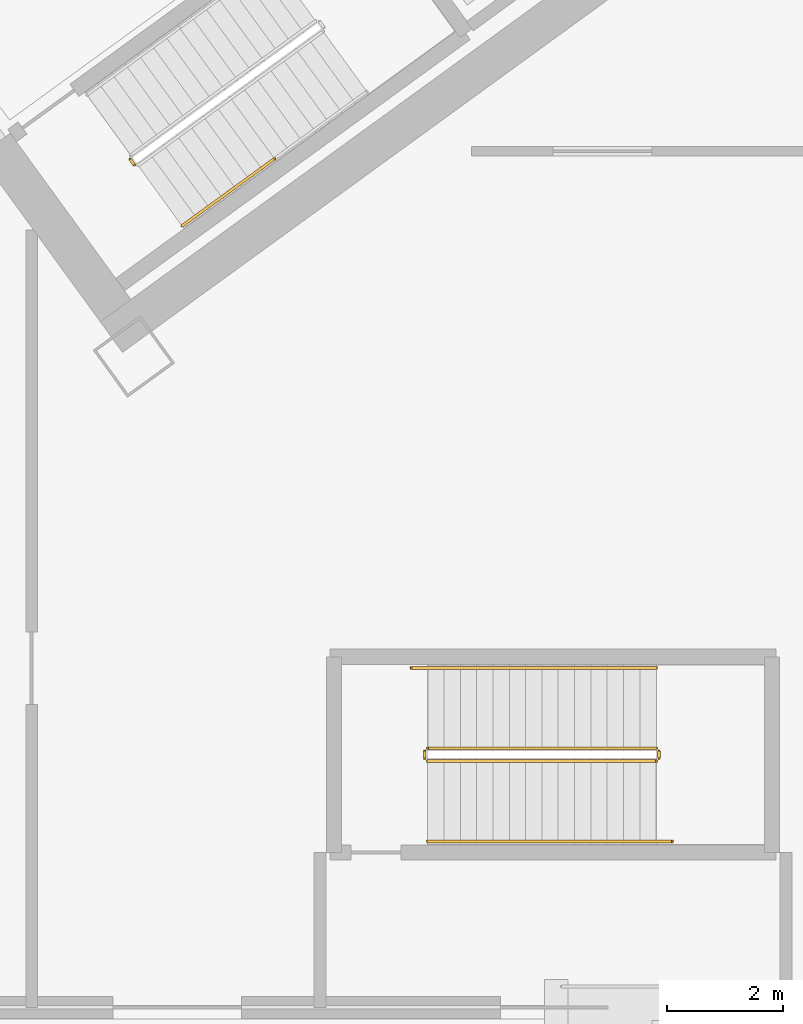
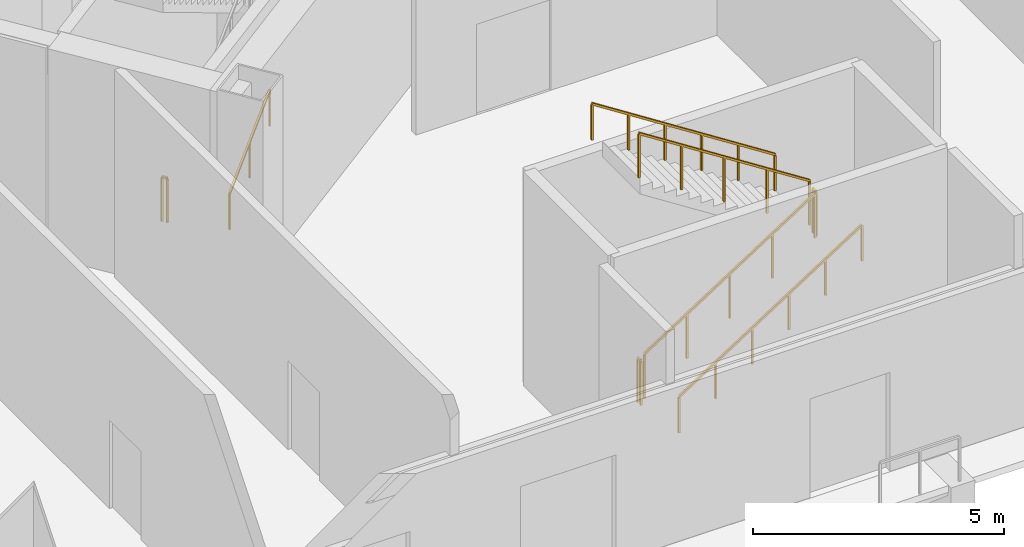
# One storey, part 19 of 22: 8 railings.
"""IFC4 building model written with IfcOpenShell, lengths in metres."""

import ifcopenshell
import ifcopenshell.guid

model = None  # the IFC model being written
_history = None  # IfcOwnerHistory: only IFC2X3 demands one
_inside = {}  # id of a spatial element -> (the spatial element, [elements in it])
_under = {}  # id of a project, library or spatial element -> (it, [spatial elements below it])
_declared = {}  # id of a project -> (the project, [libraries it declares])
_typed = {}  # id of a type object -> (the type object, [elements of that type])
_made_of = {}  # id of a material, layer set ... -> (it, [elements and type objects made of it])


def new_model(schema):
    """Start an empty IFC model of exactly this schema.

    Asked for "IFC4X3", IfcOpenShell would pick the latest addendum, in which some entities
    have other attributes; the version numbers below select the first issue.
    IFC2X3 requires an IfcOwnerHistory on every rooted entity: one is made here for all.
    """
    global model, _history
    if schema == "IFC4X3":
        model = ifcopenshell.file(schema_version=(4, 3, 0, 0))
    else:
        model = ifcopenshell.file(schema=schema)
    _inside.clear()
    _under.clear()
    _declared.clear()
    _typed.clear()
    _made_of.clear()
    _history = None
    if model.schema == "IFC2X3":
        org = make("IfcOrganization", Name="unknown")
        user = make(
            "IfcPersonAndOrganization",
            ThePerson=make("IfcPerson", FamilyName="unknown"),
            TheOrganization=org,
        )
        app = make(
            "IfcApplication",
            ApplicationDeveloper=org,
            Version="unknown",
            ApplicationFullName="unknown",
            ApplicationIdentifier="unknown",
        )
        _history = make(
            "IfcOwnerHistory",
            OwningUser=user,
            OwningApplication=app,
            ChangeAction="ADDED",
            CreationDate=0,
        )
    return model


def make(cls, **values):
    """One entity of the class cls with the attributes given. An attribute that is None is left unset."""
    return model.create_entity(
        cls, **{name: value for name, value in values.items() if value is not None}
    )


def rooted(cls, **values):
    """An entity with a GlobalId (a new one), such as an element, a storey or a relation."""
    return make(cls, GlobalId=ifcopenshell.guid.new(), OwnerHistory=_history, **values)


def si_unit(unit_type, name, prefix=None):
    """IfcSIUnit, for example si_unit("LENGTHUNIT", "METRE", prefix="MILLI")."""
    return make("IfcSIUnit", UnitType=unit_type, Prefix=prefix, Name=name)


def assignment(units):
    """IfcUnitAssignment: the units of a project."""
    return None if units is None else make("IfcUnitAssignment", Units=units)


def point(xyz):
    """IfcCartesianPoint."""
    return None if xyz is None else make("IfcCartesianPoint", Coordinates=xyz)


def direction(xyz):
    """IfcDirection."""
    return None if xyz is None else make("IfcDirection", DirectionRatios=xyz)


def frame(location, z_axis=None, x_axis=None):
    """IfcAxis2Placement3D, a coordinate frame: its origin and axes. An axis left out is left unset."""
    return make(
        "IfcAxis2Placement3D",
        Location=point(location),
        Axis=direction(z_axis),
        RefDirection=direction(x_axis),
    )


def frame_2d(location, x_axis=None):
    """IfcAxis2Placement2D, a coordinate frame in the plane: its origin and x axis."""
    return make(
        "IfcAxis2Placement2D", Location=point(location), RefDirection=direction(x_axis)
    )


def origin():
    """The frame at (0, 0, 0) with its axes left unset."""
    return frame((0.0, 0.0, 0.0))


def origin_2d():
    """The frame at (0, 0) in the plane with its x axis left unset."""
    return frame_2d((0.0, 0.0))


def place(relative_to, where):
    """IfcLocalPlacement: puts the frame where relative to a parent placement (None: the world)."""
    return make(
        "IfcLocalPlacement", PlacementRelTo=relative_to, RelativePlacement=where
    )


def context(
    kind, dimensions, precision=None, world=None, true_north=None, identifier=None
):
    """IfcGeometricRepresentationContext, for example the 3D "Model" context."""
    return make(
        "IfcGeometricRepresentationContext",
        ContextIdentifier=identifier,
        ContextType=kind,
        CoordinateSpaceDimension=dimensions,
        Precision=precision,
        WorldCoordinateSystem=world,
        TrueNorth=true_north,
    )


def subcontext(parent, identifier, kind, view, scale=None):
    """IfcGeometricRepresentationSubContext, for example "Body" below "Model"."""
    return make(
        "IfcGeometricRepresentationSubContext",
        ContextIdentifier=identifier,
        ContextType=kind,
        ParentContext=parent,
        TargetScale=scale,
        TargetView=view,
    )


def project(units=None, contexts=None):
    """IfcProject with its units and contexts."""
    return rooted(
        "IfcProject",
        Name="project",
        RepresentationContexts=contexts,
        UnitsInContext=assignment(units),
    )


def spatial(cls, under=None, at=None, **own):
    """A site, building, storey or space (cls), placed at a placement, below another one or the project."""
    s = rooted(cls, ObjectPlacement=at, **own)
    if under is not None:
        _under.setdefault(under.id(), (under, []))[1].append(s)
    return s


def profile(cls, at=None, kind="AREA", **sizes):
    """A parametric profile (cls). Its sizes go by their IFC names, for example OverallWidth=200.0."""
    return make(cls, ProfileType=kind, Position=at, **sizes)


def rectangle(**sizes):
    """IfcRectangleProfileDef."""
    return profile("IfcRectangleProfileDef", **sizes)


def extrude(swept, where, along, depth):
    """IfcExtrudedAreaSolid: the profile swept, set in the frame where, extruded along a direction by depth."""
    return make(
        "IfcExtrudedAreaSolid",
        SweptArea=swept,
        Position=where,
        ExtrudedDirection=direction(along),
        Depth=depth,
    )


def shape(context_of_items, identifier, shape_type, items):
    """IfcShapeRepresentation: the items that make up one representation, for example the "Body"."""
    return make(
        "IfcShapeRepresentation",
        ContextOfItems=context_of_items,
        RepresentationIdentifier=identifier,
        RepresentationType=shape_type,
        Items=items,
    )


def source(mapping_origin, context_of_items, identifier, shape_type, items):
    """IfcRepresentationMap: a shape defined once, which mapped items show again and again."""
    return make(
        "IfcRepresentationMap",
        MappingOrigin=mapping_origin,
        MappedRepresentation=shape(context_of_items, identifier, shape_type, items),
    )


def transform(
    local_origin,
    x_axis=None,
    y_axis=None,
    z_axis=None,
    scale=None,
    scale2=None,
    scale3=None,
    uniform=True,
):
    """IfcCartesianTransformationOperator3D, or its non-uniform kind. x_axis, y_axis, z_axis: its Axis1, 2, 3."""
    if uniform:
        return make(
            "IfcCartesianTransformationOperator3D",
            Axis1=direction(x_axis),
            Axis2=direction(y_axis),
            LocalOrigin=point(local_origin),
            Scale=scale,
            Axis3=direction(z_axis),
        )
    return make(
        "IfcCartesianTransformationOperator3DnonUniform",
        Axis1=direction(x_axis),
        Axis2=direction(y_axis),
        LocalOrigin=point(local_origin),
        Scale=scale,
        Axis3=direction(z_axis),
        Scale2=scale2,
        Scale3=scale3,
    )


def mapped(mapping_source, mapping_target):
    """IfcMappedItem: shows the shape of a source again, moved by a transform."""
    return make(
        "IfcMappedItem", MappingSource=mapping_source, MappingTarget=mapping_target
    )


def material(Name=None, Category=None):
    """IfcMaterial."""
    return make("IfcMaterial", Name=Name, Category=Category)


def made_of(thing, what):
    """Note that an element or type object is made of a material, layer set ...; save() writes the relation."""
    if what is not None:
        _made_of.setdefault(what.id(), (what, []))[1].append(thing)
    return thing


def type_object(cls, material=None, **own):
    """A type object (cls), such as IfcWallType, which elements share."""
    return made_of(rooted(cls, **own), material)


def element(
    cls,
    number,
    at=None,
    inside=None,
    cuts=None,
    type_object=None,
    material=None,
    context=None,
    identifier="Body",
    shape_type=None,
    held_by="IfcProductDefinitionShape",
    body=None,
    shapes=None,
    **own,
):
    """One element of the class cls, such as IfcWall. Its Tag is "e" and its number.

    at: its placement. inside: the storey or other place that contains it. cuts: it is an
    opening in that element (IfcRelVoidsElement). A single representation is given by context,
    identifier, shape_type and body (its items); several are given by shapes. held_by: the class
    of the entity that holds the representations. save() writes the other relations.
    """
    e = rooted(cls, Tag="e%d" % number, ObjectPlacement=at, **own)
    if body is not None:
        shapes = [shape(context, identifier, shape_type, body)]
    if shapes is not None:
        e.Representation = make(held_by, Representations=shapes)
    if inside is not None:
        _inside.setdefault(inside.id(), (inside, []))[1].append(e)
    if cuts is not None:
        rooted(
            "IfcRelVoidsElement", RelatingBuildingElement=cuts, RelatedOpeningElement=e
        )
    if type_object is not None:
        _typed.setdefault(type_object.id(), (type_object, []))[1].append(e)
    return made_of(e, material)


def aggregate(whole, parts):
    """IfcRelAggregates: a whole, such as a stair, and the parts it consists of."""
    return rooted("IfcRelAggregates", RelatingObject=whole, RelatedObjects=parts)


def save(model, path):
    """Write the relations noted so far, then the file.

    IfcRelAggregates (storeys below a building ...), IfcRelContainedInSpatialStructure (elements
    in a storey), IfcRelDefinesByType, IfcRelAssociatesMaterial and IfcRelDeclares: one each for
    every whole, place, type object, material and project.
    """
    for whole, parts in _under.values():
        aggregate(whole, parts)
    for where, things in _inside.values():
        rooted(
            "IfcRelContainedInSpatialStructure",
            RelatedElements=things,
            RelatingStructure=where,
        )
    for kind, things in _typed.values():
        rooted("IfcRelDefinesByType", RelatedObjects=things, RelatingType=kind)
    for what, things in _made_of.values():
        rooted("IfcRelAssociatesMaterial", RelatedObjects=things, RelatingMaterial=what)
    for by, libraries in _declared.values():
        rooted("IfcRelDeclares", RelatingContext=by, RelatedDefinitions=libraries)
    model.write(path)


model = new_model("IFC4")

# Units and contexts
model_context = context("Model", 3, precision=1e-05, world=origin(), true_north=direction((0.0, 1.0)))
body_context = subcontext(model_context, "Body", "Model", "MODEL_VIEW")
ifc_project = project(units=[si_unit("LENGTHUNIT", "METRE"), si_unit("AREAUNIT", "SQUARE_METRE"), si_unit("VOLUMEUNIT", "CUBIC_METRE"), si_unit("PLANEANGLEUNIT", "RADIAN"), si_unit("MASSUNIT", "GRAM", prefix="KILO")], contexts=[model_context])

# Site, building, storey
site_placement = place(None, origin())
site = spatial("IfcSite", under=ifc_project, at=site_placement, CompositionType="ELEMENT")
building_placement = place(site_placement, origin())
building = spatial("IfcBuilding", under=site, at=building_placement, Name="Tlacorven Tower", CompositionType="ELEMENT")
storey_placement = place(building_placement, origin())
storey = spatial("IfcBuildingStorey", under=building, at=storey_placement, Name="L00", CompositionType="ELEMENT", Elevation=0.0)

# Railings
ifc_material = material(Name="Aluminium and painted steel balustrade", Category="steel")
railing_type_1 = type_object("IfcRailingType", Name="RL-GRD-1100", PredefinedType="GUARDRAIL", material=ifc_material)
shared_shape_1 = source(origin(), body_context, "Body", "SweptSolid", [
    extrude(rectangle(XDim=0.048095703125, YDim=0.048095703125, at=origin_2d()), frame((0.0, 0.0, 1.076171875), z_axis=(-0.587567097037, 0.809175448515, 0.0), x_axis=(-0.809175448515, -0.587567097037, 0.0)), (0.0, 0.0, 1.0), 0.1201171875),
    extrude(rectangle(XDim=0.0419921875, YDim=0.0419921875, at=origin_2d()), origin(), (0.0, 0.0, 1.0), 1.052001953125),
    extrude(rectangle(XDim=0.0419921875, YDim=0.0419921875, at=origin_2d()), frame((-0.070556640625, 0.09716796875, 0.0)), (0.0, 0.0, 1.0), 1.052001953125),
])
railing_1_placement = place(storey_placement, frame((52.71142578125, 16.065673828125, 0.0)))
element("IfcRailing", 1, at=railing_1_placement, inside=storey, type_object=railing_type_1, Name="L00 ST-E2 stair guard 4", PredefinedType="GUARDRAIL", context=body_context, shape_type="MappedRepresentation", body=[
    mapped(shared_shape_1, transform((0.0, 0.0, 0.0), scale=1.0)),
])
railing_type_2 = type_object("IfcRailingType", Name="RL-HND-0900", PredefinedType="HANDRAIL", material=ifc_material)
shared_shape_2 = source(origin(), body_context, "Body", "SweptSolid", [
    extrude(rectangle(XDim=0.048095703125, YDim=0.048095703125, at=origin_2d()), frame((0.0, 0.0, 0.8759765625), z_axis=(0.680524908878, 0.494441423402, 0.540752741297), x_axis=(-0.587793916777, 0.809010699188, 0.0)), (0.0, 0.0, 1.0), 2.330078125),
    extrude(rectangle(XDim=0.0419921875, YDim=0.0419921875, at=origin_2d()), origin(), (0.0, 0.0, 1.0), 0.851806640625),
    extrude(rectangle(XDim=0.0419921875, YDim=0.0419921875, at=origin_2d()), frame((0.79296875, 0.576171875, 0.6298828125)), (0.0, 0.0, 1.0), 0.851806640625),
    extrude(rectangle(XDim=0.0419921875, YDim=0.0419921875, at=origin_2d()), frame((1.585693359375, 1.152099609375, 1.260009765625)), (0.0, 0.0, 1.0), 0.851806640625),
])
railing_2_placement = place(storey_placement, frame((53.53369140625, 15.01904296875, 0.179931640625)))
element("IfcRailing", 2, at=railing_2_placement, inside=storey, type_object=railing_type_2, Name="L00 ST-E2 stair handrail 1", PredefinedType="HANDRAIL", context=body_context, shape_type="MappedRepresentation", body=[
    mapped(shared_shape_2, transform((0.0, 0.0, 0.0), scale=1.0)),
])
shared_shape_3 = source(origin(), body_context, "Body", "SweptSolid", [
    extrude(rectangle(XDim=0.048095703125, YDim=0.048095703125, at=origin_2d()), frame((0.0, 0.0, 1.076171875), z_axis=(0.0, 1.0, 0.0), x_axis=(-1.0, 0.0, 0.0)), (0.0, 0.0, 1.0), 0.1201171875),
    extrude(rectangle(XDim=0.0419921875, YDim=0.0419921875, at=origin_2d()), origin(), (0.0, 0.0, 1.0), 1.052001953125),
    extrude(rectangle(XDim=0.0419921875, YDim=0.0419921875, at=origin_2d()), frame((0.0, 0.1201171875, 0.0)), (0.0, 0.0, 1.0), 1.052001953125),
])
for number, where, name in (
    (3, (61.719970703125, 5.8798828125, 2.699951171875), "L00 ST-P2 stair guard 2"),
    (4, (57.699951171875, 5.8798828125, 0.0), "L00 ST-P2 stair guard 4"),
):
    element("IfcRailing", number, at=place(storey_placement, frame(where)), inside=storey, type_object=railing_type_1, Name=name, PredefinedType="GUARDRAIL", context=body_context, shape_type="MappedRepresentation", body=[
        mapped(shared_shape_3, transform((0.0, 0.0, 0.0), scale=1.0)),
    ])
shared_shape_4 = source(origin(), body_context, "Body", "SweptSolid", [
    extrude(rectangle(XDim=0.048095703125, YDim=0.048095703125, at=origin_2d()), frame((0.0, 0.0, 1.076171875), z_axis=(0.841171666519, 0.0, 0.540768182723), x_axis=(0.0, 1.0, 0.0)), (0.0, 0.0, 1.0), 4.66015625),
    extrude(rectangle(XDim=0.0419921875, YDim=0.0419921875, at=origin_2d()), origin(), (0.0, 0.0, 1.0), 1.052001953125),
    extrude(rectangle(XDim=0.0419921875, YDim=0.0419921875, at=origin_2d()), frame((0.97998046875, 0.0, 0.6298828125)), (0.0, 0.0, 1.0), 1.052001953125),
    extrude(rectangle(XDim=0.0419921875, YDim=0.0419921875, at=origin_2d()), frame((1.9599609375, 0.0, 1.260009765625)), (0.0, 0.0, 1.0), 1.052001953125),
    extrude(rectangle(XDim=0.0419921875, YDim=0.0419921875, at=origin_2d()), frame((2.93994140625, 0.0, 1.89013671875)), (0.0, 0.0, 1.0), 1.052001953125),
    extrude(rectangle(XDim=0.0419921875, YDim=0.0419921875, at=origin_2d()), frame((3.919921875, 0.0, 2.52001953125)), (0.0, 0.0, 1.0), 1.052001953125),
])
railing_3_placement = place(storey_placement, frame((57.75, 5.830078125, 0.179931640625)))
element("IfcRailing", 5, at=railing_3_placement, inside=storey, type_object=railing_type_1, Name="L00 ST-P2 stair guard 1", PredefinedType="GUARDRAIL", context=body_context, shape_type="MappedRepresentation", body=[
    mapped(shared_shape_4, transform((0.0, 0.0, 0.0), scale=1.0)),
])
shared_shape_5 = source(origin(), body_context, "Body", "SweptSolid", [
    extrude(rectangle(XDim=0.048095703125, YDim=0.048095703125, at=origin_2d()), frame((0.0, 0.0, 1.076171875), z_axis=(-0.841171666519, 0.0, 0.540768182723), x_axis=(0.0, -1.0, 0.0)), (0.0, 0.0, 1.0), 4.66015625),
    extrude(rectangle(XDim=0.0419921875, YDim=0.0419921875, at=origin_2d()), origin(), (0.0, 0.0, 1.0), 1.052001953125),
    extrude(rectangle(XDim=0.0419921875, YDim=0.0419921875, at=origin_2d()), frame((-0.97998046875, 0.0, 0.6298828125)), (0.0, 0.0, 1.0), 1.052001953125),
    extrude(rectangle(XDim=0.0419921875, YDim=0.0419921875, at=origin_2d()), frame((-1.9599609375, 0.0, 1.260009765625)), (0.0, 0.0, 1.0), 1.052001953125),
    extrude(rectangle(XDim=0.0419921875, YDim=0.0419921875, at=origin_2d()), frame((-2.93994140625, 0.0, 1.89013671875)), (0.0, 0.0, 1.0), 1.052001953125),
    extrude(rectangle(XDim=0.0419921875, YDim=0.0419921875, at=origin_2d()), frame((-3.919921875, 0.0, 2.52001953125)), (0.0, 0.0, 1.0), 1.052001953125),
])
railing_4_placement = place(storey_placement, frame((61.669921875, 6.050048828125, 2.8798828125)))
element("IfcRailing", 6, at=railing_4_placement, inside=storey, type_object=railing_type_1, Name="L00 ST-P2 stair guard 3", PredefinedType="GUARDRAIL", context=body_context, shape_type="MappedRepresentation", body=[
    mapped(shared_shape_5, transform((0.0, 0.0, 0.0), scale=1.0)),
])
shared_shape_6 = source(origin(), body_context, "Body", "SweptSolid", [
    extrude(rectangle(XDim=0.048095703125, YDim=0.048095703125, at=origin_2d()), frame((0.0, 0.0, 0.8759765625), z_axis=(0.841180064094, 0.0, 0.540755119968), x_axis=(0.0, 1.0, 0.0)), (0.0, 0.0, 1.0), 4.992919921875),
    extrude(rectangle(XDim=0.0419921875, YDim=0.0419921875, at=origin_2d()), origin(), (0.0, 0.0, 1.0), 0.851806640625),
    extrude(rectangle(XDim=0.0419921875, YDim=0.0419921875, at=origin_2d()), frame((0.840087890625, 0.0, 0.5400390625)), (0.0, 0.0, 1.0), 0.851806640625),
    extrude(rectangle(XDim=0.0419921875, YDim=0.0419921875, at=origin_2d()), frame((1.679931640625, 0.0, 1.080078125)), (0.0, 0.0, 1.0), 0.851806640625),
    extrude(rectangle(XDim=0.0419921875, YDim=0.0419921875, at=origin_2d()), frame((2.52001953125, 0.0, 1.619873046875)), (0.0, 0.0, 1.0), 0.851806640625),
    extrude(rectangle(XDim=0.0419921875, YDim=0.0419921875, at=origin_2d()), frame((3.35986328125, 0.0, 2.159912109375)), (0.0, 0.0, 1.0), 0.851806640625),
    extrude(rectangle(XDim=0.0419921875, YDim=0.0419921875, at=origin_2d()), frame((4.199951171875, 0.0, 2.699951171875)), (0.0, 0.0, 1.0), 0.851806640625),
])
railing_5_placement = place(storey_placement, frame((57.75, 4.449951171875, 0.179931640625)))
element("IfcRailing", 7, at=railing_5_placement, inside=storey, type_object=railing_type_2, Name="L00 ST-P2 stair handrail 1", PredefinedType="HANDRAIL", context=body_context, shape_type="MappedRepresentation", body=[
    mapped(shared_shape_6, transform((0.0, 0.0, 0.0), scale=1.0)),
])
shared_shape_7 = source(origin(), body_context, "Body", "SweptSolid", [
    extrude(rectangle(XDim=0.048095703125, YDim=0.048095703125, at=origin_2d()), frame((0.0, 0.0, 0.8759765625), z_axis=(-0.841157821942, 0.0, 0.54078971753), x_axis=(0.0, -1.0, 0.0)), (0.0, 0.0, 1.0), 4.9931640625),
    extrude(rectangle(XDim=0.0419921875, YDim=0.0419921875, at=origin_2d()), origin(), (0.0, 0.0, 1.0), 0.851806640625),
    extrude(rectangle(XDim=0.0419921875, YDim=0.0419921875, at=origin_2d()), frame((-0.840087890625, 0.0, 0.5400390625)), (0.0, 0.0, 1.0), 0.851806640625),
    extrude(rectangle(XDim=0.0419921875, YDim=0.0419921875, at=origin_2d()), frame((-1.679931640625, 0.0, 1.080078125)), (0.0, 0.0, 1.0), 0.851806640625),
    extrude(rectangle(XDim=0.0419921875, YDim=0.0419921875, at=origin_2d()), frame((-2.52001953125, 0.0, 1.6201171875)), (0.0, 0.0, 1.0), 0.851806640625),
    extrude(rectangle(XDim=0.0419921875, YDim=0.0419921875, at=origin_2d()), frame((-3.35986328125, 0.0, 2.16015625)), (0.0, 0.0, 1.0), 0.851806640625),
    extrude(rectangle(XDim=0.0419921875, YDim=0.0419921875, at=origin_2d()), frame((-4.199951171875, 0.0, 2.7001953125)), (0.0, 0.0, 1.0), 0.851806640625),
])
railing_6_placement = place(storey_placement, frame((61.669921875, 7.429931640625, 2.8798828125)))
element("IfcRailing", 8, at=railing_6_placement, inside=storey, type_object=railing_type_2, Name="L00 ST-P2 stair handrail 2", PredefinedType="HANDRAIL", context=body_context, shape_type="MappedRepresentation", body=[
    mapped(shared_shape_7, transform((0.0, 0.0, 0.0), scale=1.0)),
])

save(model, "model.ifc")
